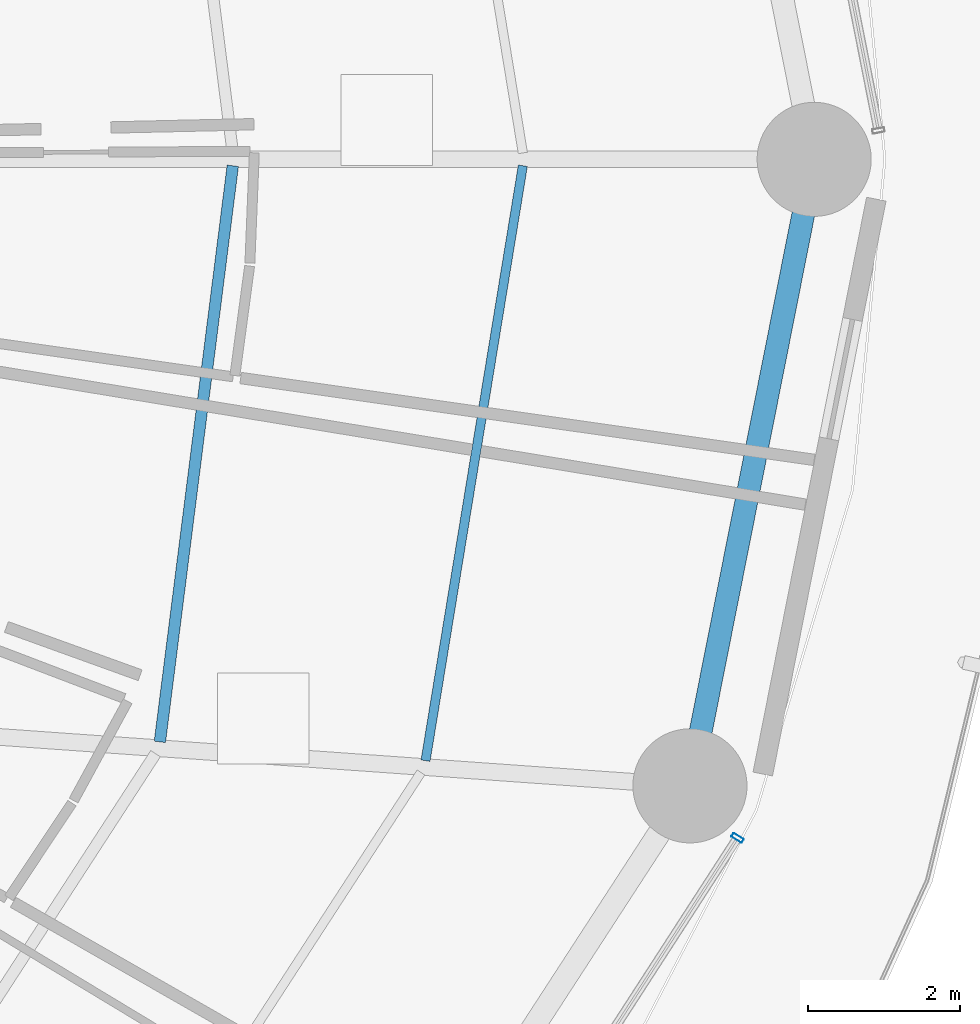
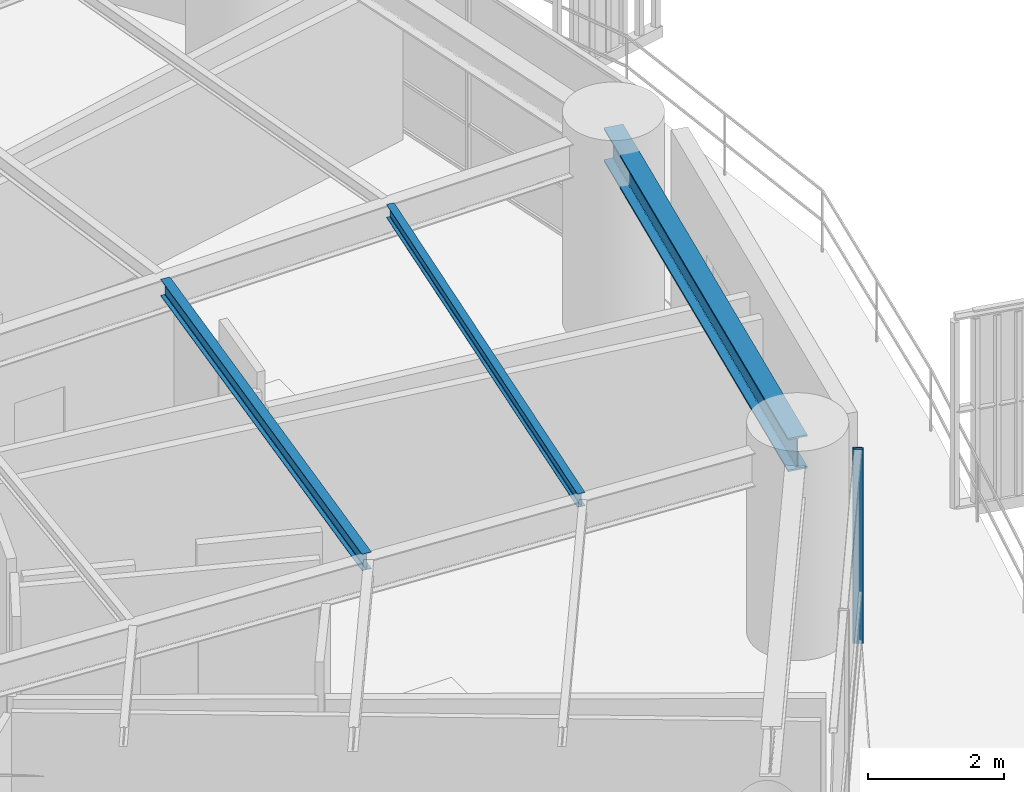
# One storey, part 12 of 34: 3 beams, 1 member, 1 element without a shape of its own.
"""IFC4 building model written with IfcOpenShell, lengths in metres."""

from ifc_helpers import new_model, si_unit, direction, frame, origin, origin_2d, place, context, subcontext, project, spatial, hollow_rectangle, i_section, extrude, material, layer, layer_set, material_profile, profile_set, type_object, element, aggregate, save


model = new_model("IFC4")

# Units and contexts
model_context = context("Model", 3, precision=1e-05, world=origin(), true_north=direction((0.0, 1.0)))
body_context = subcontext(model_context, "Body", "Model", "MODEL_VIEW")
ifc_project = project(units=[si_unit("LENGTHUNIT", "METRE"), si_unit("AREAUNIT", "SQUARE_METRE"), si_unit("VOLUMEUNIT", "CUBIC_METRE"), si_unit("PLANEANGLEUNIT", "RADIAN"), si_unit("MASSUNIT", "GRAM", prefix="KILO")], contexts=[model_context])

# Site, building, storey
site_placement = place(None, origin())
site = spatial("IfcSite", under=ifc_project, at=site_placement, CompositionType="ELEMENT")
building_placement = place(site_placement, origin())
building = spatial("IfcBuilding", under=site, at=building_placement, Name="Kelanora Arch Commons", CompositionType="ELEMENT")
storey_placement = place(building_placement, frame((0.0, 0.0, 33.75)))
storey = spatial("IfcBuildingStorey", under=building, at=storey_placement, Name="L08", CompositionType="ELEMENT", Elevation=33.75)

# Beams
ifc_material_1 = material(Name="Steel S355", Category="steel")
ifc_material_profile_1 = material_profile(ifc_material_1, i_section(OverallWidth=0.14990234375, OverallDepth=0.300048828125, WebThickness=0.007080078125, FlangeThickness=0.0107421875, FilletRadius=0.014892578125, at=origin_2d()), Name="IPE300")
ifc_profile_set_1 = profile_set([ifc_material_profile_1], Name="Steel S355")
beam_type_1 = type_object("IfcBeamType", Name="BM-JST-01", PredefinedType="JOIST", material=ifc_profile_set_1)
beam_1_placement = place(storey_placement, frame((92.478759765625, 50.3427734375, 3.340087890625), z_axis=(0.125565841651, 0.992085288375, 0.0), x_axis=(-0.992085288375, 0.125565841651, 0.0)))
element("IfcBeam", 1, at=beam_1_placement, inside=storey, type_object=beam_type_1, Name="Secondary Chord Joist BJB-34 L08", PredefinedType="JOIST", context=body_context, shape_type="SweptSolid", body=[
    extrude(i_section(OverallWidth=0.14990234375, OverallDepth=0.300048828125, WebThickness=0.007080078125, FlangeThickness=0.0107421875, FilletRadius=0.014892578125, at=origin_2d()), origin(), (0.0, 0.0, 1.0), 7.63330078125),
])
ifc_material_profile_2 = material_profile(ifc_material_1, i_section(OverallWidth=0.1201171875, OverallDepth=0.239990234375, WebThickness=0.006103515625, FlangeThickness=0.009765625, FilletRadius=0.014892578125, at=origin_2d()), Name="IPE240")
ifc_profile_set_2 = profile_set([ifc_material_profile_2], Name="Steel S355")
beam_type_2 = type_object("IfcBeamType", Name="BM-JST-02", PredefinedType="JOIST", material=ifc_profile_set_2)
beam_2_placement = place(storey_placement, frame((95.97119140625, 50.09521484375, 3.3701171875), z_axis=(0.161400737199, 0.986888951216, 0.0), x_axis=(-0.986888951216, 0.161400737199, 0.0)))
element("IfcBeam", 2, at=beam_2_placement, inside=storey, type_object=beam_type_2, Name="Secondary Chord Joist BJC-34 L08", PredefinedType="JOIST", context=body_context, shape_type="SweptSolid", body=[
    extrude(i_section(OverallWidth=0.1201171875, OverallDepth=0.239990234375, WebThickness=0.006103515625, FlangeThickness=0.009765625, FilletRadius=0.014892578125, at=origin_2d()), origin(), (0.0, 0.0, 1.0), 7.9248046875),
])
ifc_material_profile_3 = material_profile(ifc_material_1, i_section(OverallWidth=0.300048828125, OverallDepth=0.60009765625, WebThickness=0.015380859375, FlangeThickness=0.030029296875, FilletRadius=0.027099609375, at=origin_2d()), Name="HEB600")
ifc_profile_set_3 = profile_set([ifc_material_profile_3], Name="Steel S355")
beam_type_3 = type_object("IfcBeamType", Name="BM-SPN-Z1", PredefinedType="SPANDREL", material=ifc_profile_set_3)
beam_3_placement = place(storey_placement, frame((99.447021484375, 49.76416015625, 3.18994140625), z_axis=(0.194499827256, 0.980902552345, 0.0), x_axis=(-0.980902552345, 0.194499827256, 0.0)))
element("IfcBeam", 3, at=beam_3_placement, inside=storey, type_object=beam_type_3, Name="Perimeter Spandrel Beam BS-34 L08", PredefinedType="SPANDREL", context=body_context, shape_type="SweptSolid", body=[
    extrude(i_section(OverallWidth=0.300048828125, OverallDepth=0.60009765625, WebThickness=0.015380859375, FlangeThickness=0.030029296875, FilletRadius=0.027099609375, at=origin_2d()), origin(), (0.0, 0.0, 1.0), 8.396240234375),
])

# Curtain wall, member
ifc_material_2 = material(Name="Terracotta ceramic-fritted low-E glass and aluminium", Category="masonry")
ifc_layer = layer(ifc_material_2, 0.159912109375)
ifc_layer_set = layer_set([ifc_layer], Name="Terracotta ceramic-fritted low-E glass and aluminium")
curtain_wall_type = type_object("IfcCurtainWallType", Name="CW-SYS-01", PredefinedType="NOTDEFINED", material=ifc_layer_set)
curtain_wall_placement = place(storey_placement, origin())
curtain_wall = element("IfcCurtainWall", 4, at=curtain_wall_placement, inside=storey, type_object=curtain_wall_type, Name="Unitised Curtain Wall L08-B16", PredefinedType="NOTDEFINED")
ifc_material_3 = material(Name="Powder-coated aluminium terracotta", Category="masonry")
ifc_material_profile_4 = material_profile(ifc_material_3, hollow_rectangle(XDim=0.159912109375, YDim=0.06005859375, WallThickness=0.0048828125, InnerFilletRadius=0.0048828125, OuterFilletRadius=0.010009765625, at=origin_2d()), Name="CWM160x60")
ifc_profile_set_4 = profile_set([ifc_material_profile_4], Name="Powder-coated aluminium terracotta")
member_type = type_object("IfcMemberType", Name="CWM-STD", PredefinedType="MULLION", material=ifc_profile_set_4)
member_placement = place(storey_placement, frame((100.072265625, 49.07958984375, 0.0), z_axis=(0.0, 0.0, 1.0), x_axis=(-0.83972982332, 0.543004441812, 0.0)))
member = element("IfcMember", 5, at=member_placement, type_object=member_type, Name="CW-01 mullion 3", PredefinedType="MULLION", context=body_context, shape_type="SweptSolid", body=[
    extrude(hollow_rectangle(XDim=0.159912109375, YDim=0.06005859375, WallThickness=0.0048828125, InnerFilletRadius=0.0048828125, OuterFilletRadius=0.010009765625, at=origin_2d()), origin(), (0.0, 0.0, 1.0), 3.47509765625),
])
aggregate(curtain_wall, [member])

save(model, "model.ifc")
